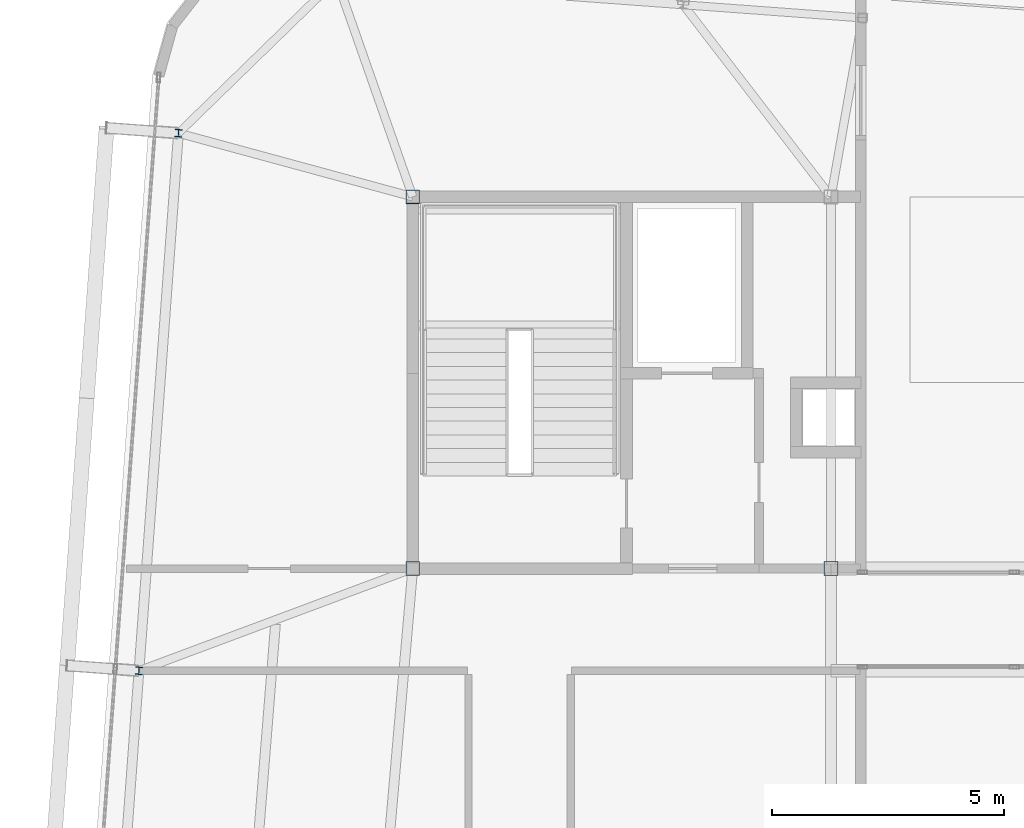
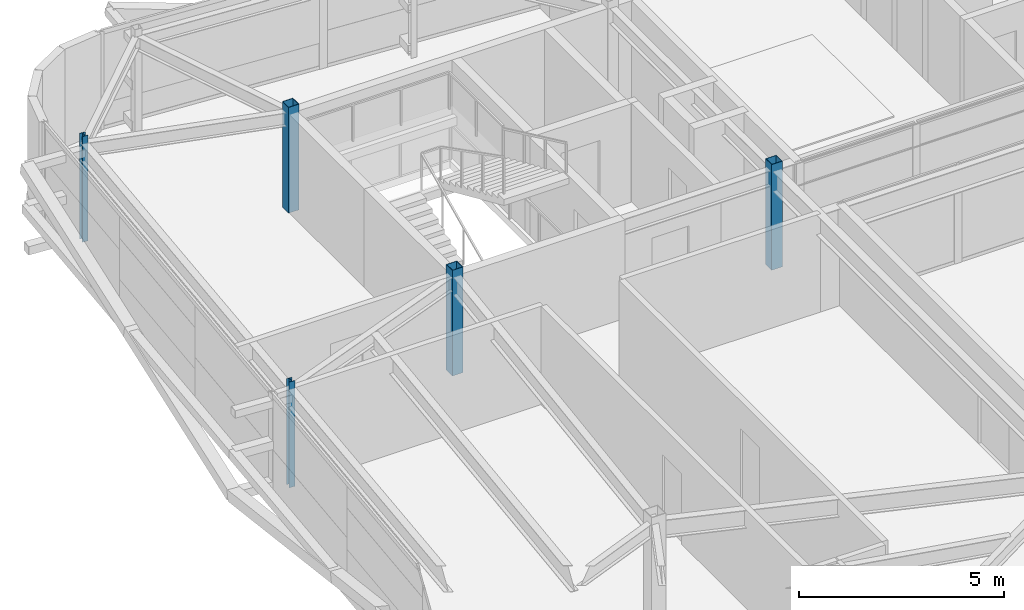
# One storey, part 3 of 36: 5 columns.
"""IFC4 building model written with IfcOpenShell, lengths in metres."""

from ifc_helpers import new_model, si_unit, direction, frame, origin, origin_2d, place, context, subcontext, project, spatial, hollow_rectangle, i_section, extrude, source, transform, mapped, material, material_profile, profile_set, type_object, element, save


model = new_model("IFC4")

# Units and contexts
model_context = context("Model", 3, precision=1e-05, world=origin(), true_north=direction((0.0, 1.0)))
body_context = subcontext(model_context, "Body", "Model", "MODEL_VIEW")
ifc_project = project(units=[si_unit("LENGTHUNIT", "METRE"), si_unit("AREAUNIT", "SQUARE_METRE"), si_unit("VOLUMEUNIT", "CUBIC_METRE"), si_unit("PLANEANGLEUNIT", "RADIAN"), si_unit("MASSUNIT", "GRAM", prefix="KILO")], contexts=[model_context])

# Site, building, storey
site_placement = place(None, origin())
site = spatial("IfcSite", under=ifc_project, at=site_placement, CompositionType="ELEMENT")
building_placement = place(site_placement, origin())
building = spatial("IfcBuilding", under=site, at=building_placement, Name="Taldren Reach Tower", CompositionType="ELEMENT")
storey_placement = place(building_placement, frame((0.0, 0.0, 227.14990234375)))
storey = spatial("IfcBuildingStorey", under=building, at=storey_placement, Name="L69", CompositionType="ELEMENT", Elevation=227.14990234375)

# Columns
ifc_material_1 = material(Name="Steel Gr 450 (C450L0)", Category="steel")
ifc_material_profile_1 = material_profile(ifc_material_1, hollow_rectangle(XDim=0.300048828125, YDim=0.300048828125, WallThickness=0.012451171875, at=origin_2d()), Name="300x300x12.5SHS")
ifc_profile_set_1 = profile_set([ifc_material_profile_1], Name="Steel Gr 450 (C450L0)")
column_type_1 = type_object("IfcColumnType", Name="COL-SHS300", PredefinedType="COLUMN", material=ifc_profile_set_1)
shared_shape_1 = source(origin(), body_context, "Body", "SweptSolid", [
    extrude(hollow_rectangle(XDim=0.300048828125, YDim=0.300048828125, WallThickness=0.012451171875, at=origin_2d()), origin(), (0.0, 0.0, 1.0), 3.150146484375),
])
for number, where, z_axis, x_axis, name in (
    (1, (19.0, 24.0, 0.0), (0.0, 0.0, 1.0), (1.0, 0.0, 0.0), "Mega column MC-C1 L69"),
    (2, (28.0, 24.0, 0.0), (0.0, 0.0, 1.0), (1.0, 0.0, 0.0), "Mega column MC-C2 L69"),
    (3, (19.0, 32.0, 0.0), (0.0, 0.0, 1.0), (1.0, 0.0, 0.0), "Mega column MC-C5 L69"),
):
    element("IfcColumn", number, at=place(storey_placement, frame(where, z_axis=z_axis, x_axis=x_axis)), inside=storey, type_object=column_type_1, Name=name, PredefinedType="COLUMN", context=body_context, shape_type="MappedRepresentation", body=[
        mapped(shared_shape_1, transform((0.0, 0.0, 0.0), scale=1.0)),
    ])
ifc_material_2 = material(Name="Steel Gr 350 (350PLUS)", Category="steel")
ifc_material_profile_2 = material_profile(ifc_material_2, i_section(OverallWidth=0.154052734375, OverallDepth=0.162109375, WebThickness=0.008056640625, FlangeThickness=0.011474609375, at=origin_2d()), Name="150UC37.2")
ifc_profile_set_2 = profile_set([ifc_material_profile_2], Name="Steel Gr 350 (350PLUS)")
column_type_2 = type_object("IfcColumnType", Name="COL-UC150", PredefinedType="COLUMN", material=ifc_profile_set_2)
shared_shape_2 = source(origin(), body_context, "Body", "SweptSolid", [
    extrude(i_section(OverallWidth=0.154052734375, OverallDepth=0.162109375, WebThickness=0.008056640625, FlangeThickness=0.011474609375, at=origin_2d()), origin(), (0.0, 0.0, 1.0), 3.150146484375),
])
for number, where, z_axis, x_axis, name in (
    (4, (13.108642578125, 21.80029296875, 0.0), (0.0, 0.0, 1.0), (0.997314477224, -0.073238197128, 0.0), "Block B5 perimeter column W2 L69"),
    (5, (13.958251953125, 33.369140625, 0.0), (0.0, 0.0, 1.0), (0.997314477224, -0.073238197128, 0.0), "Block B5 perimeter column W3 L69"),
):
    element("IfcColumn", number, at=place(storey_placement, frame(where, z_axis=z_axis, x_axis=x_axis)), inside=storey, type_object=column_type_2, Name=name, PredefinedType="COLUMN", context=body_context, shape_type="MappedRepresentation", body=[
        mapped(shared_shape_2, transform((0.0, 0.0, 0.0), scale=1.0)),
    ])

save(model, "model.ifc")
